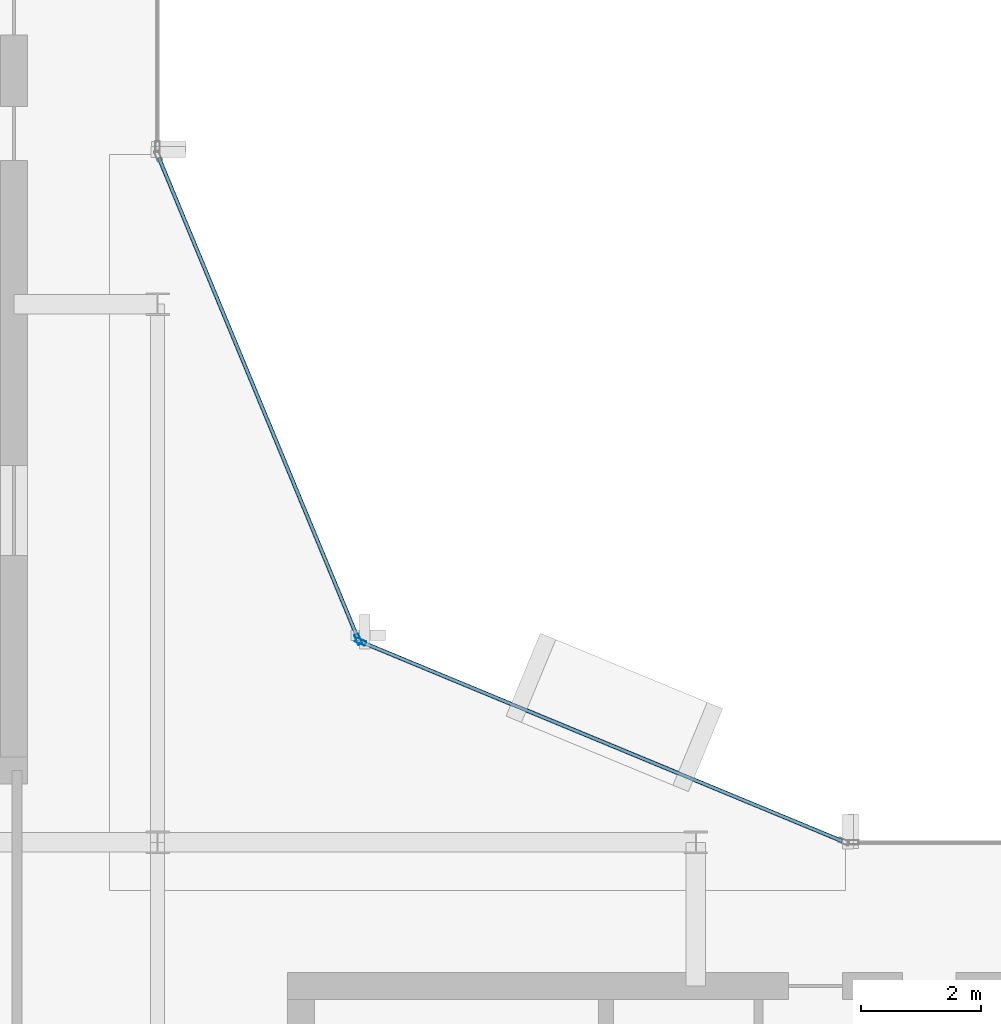
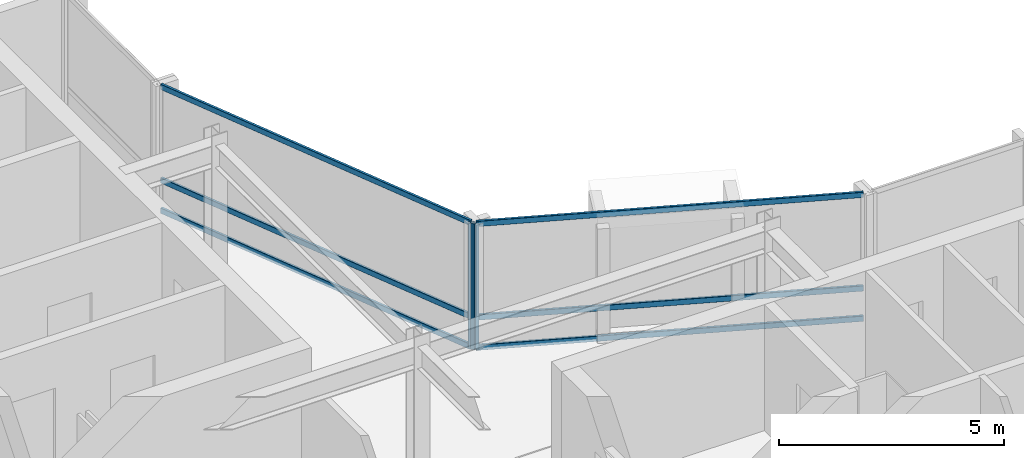
# One storey, part 8 of 19: 8 members, 2 elements without a shape of their own.
"""IFC4 building model written with IfcOpenShell, lengths in metres."""

from ifc_helpers import new_model, si_unit, direction, frame, origin, origin_2d, place, context, subcontext, project, spatial, hollow_rectangle, extrude, material, layer, layer_set, material_profile, profile_set, type_object, element, aggregate, save


model = new_model("IFC4")

# Units and contexts
model_context = context("Model", 3, precision=1e-05, world=origin(), true_north=direction((0.0, 1.0)))
body_context = subcontext(model_context, "Body", "Model", "MODEL_VIEW")
ifc_project = project(units=[si_unit("LENGTHUNIT", "METRE"), si_unit("AREAUNIT", "SQUARE_METRE"), si_unit("VOLUMEUNIT", "CUBIC_METRE"), si_unit("PLANEANGLEUNIT", "RADIAN"), si_unit("MASSUNIT", "GRAM", prefix="KILO")], contexts=[model_context])

# Site, building, storey
site_placement = place(None, origin())
site = spatial("IfcSite", under=ifc_project, at=site_placement, CompositionType="ELEMENT")
building_placement = place(site_placement, origin())
building = spatial("IfcBuilding", under=site, at=building_placement, Name="Solvaryn Broadcast Tower", CompositionType="ELEMENT")
storey_placement = place(building_placement, frame((0.0, 0.0, 277.800048828125)))
storey = spatial("IfcBuildingStorey", under=building, at=storey_placement, Name="L70", CompositionType="ELEMENT", Elevation=277.800048828125)

# Curtain wall, member
ifc_material_1 = material(Name="Aluminium and Terracotta Unitised Curtain Wall", Category="masonry")
ifc_layer = layer(ifc_material_1, 0.199951171875)
ifc_layer_set = layer_set([ifc_layer], Name="CW-SYS2-LOWMID")
curtain_wall_type = type_object("IfcCurtainWallType", Name="CW-SYS2-LOWMID", PredefinedType="NOTDEFINED", material=ifc_layer_set)
curtain_wall_1_placement = place(storey_placement, origin())
curtain_wall_1 = element("IfcCurtainWall", 1, at=curtain_wall_1_placement, inside=storey, type_object=curtain_wall_type, Name="L70 Curtain Wall CN1", PredefinedType="NOTDEFINED")
ifc_material_2 = material(Name="Anodised Aluminium 6063-T6", Category="aluminium")
ifc_material_profile_1 = material_profile(ifc_material_2, hollow_rectangle(XDim=0.074951171875, YDim=0.179931640625, WallThickness=0.00390625, InnerFilletRadius=0.00390625, OuterFilletRadius=0.008056640625, at=origin_2d()))
ifc_profile_set_1 = profile_set([ifc_material_profile_1], Name="Anodised Aluminium 6063-T6")
member_type_1 = type_object("IfcMemberType", Name="CW-MUL-180", PredefinedType="MULLION", material=ifc_profile_set_1)
member_1_placement = place(storey_placement, frame((30.395751953125, 30.3564453125, 0.0), z_axis=(0.0, 0.0, 1.0), x_axis=(-0.382646127145, -0.923894983957, 0.0)))
member_1 = element("IfcMember", 2, at=member_1_placement, type_object=member_type_1, Name="CWS2 mullion 2", PredefinedType="MULLION", context=body_context, shape_type="SweptSolid", body=[
    extrude(hollow_rectangle(XDim=0.074951171875, YDim=0.179931640625, WallThickness=0.00390625, InnerFilletRadius=0.00390625, OuterFilletRadius=0.008056640625, at=origin_2d()), origin(), (0.0, 0.0, 1.0), 3.419921875),
])

curtain_wall_2_placement = place(storey_placement, origin())
curtain_wall_2 = element("IfcCurtainWall", 3, at=curtain_wall_2_placement, inside=storey, type_object=curtain_wall_type, Name="L70 Curtain Wall CN2", PredefinedType="NOTDEFINED")
member_2_placement = place(storey_placement, frame((30.3564453125, 30.395751953125, 0.0), z_axis=(0.0, 0.0, 1.0), x_axis=(-0.923894983957, -0.382646127145, 0.0)))
member_2 = element("IfcMember", 4, at=member_2_placement, type_object=member_type_1, Name="CWS2 mullion 1", PredefinedType="MULLION", context=body_context, shape_type="SweptSolid", body=[
    extrude(hollow_rectangle(XDim=0.074951171875, YDim=0.179931640625, WallThickness=0.00390625, InnerFilletRadius=0.00390625, OuterFilletRadius=0.008056640625, at=origin_2d()), origin(), (0.0, 0.0, 1.0), 3.419921875),
])

# Member
ifc_material_3 = material(Name="Anodised Aluminium 6063-T6", Category="aluminium")
ifc_material_profile_2 = material_profile(ifc_material_3, hollow_rectangle(XDim=0.06494140625, YDim=0.14990234375, WallThickness=0.00390625, InnerFilletRadius=0.00390625, OuterFilletRadius=0.008056640625, at=origin_2d()))
ifc_profile_set_2 = profile_set([ifc_material_profile_2], Name="Anodised Aluminium 6063-T6")
member_type_2 = type_object("IfcMemberType", Name="CW-TRN-150", PredefinedType="USERDEFINED", material=ifc_profile_set_2)
member_3_placement = place(storey_placement, frame((38.444580078125, 27.02294921875, 0.030029296875), z_axis=(-0.923899282177, 0.382635748975, 0.0), x_axis=(-0.382635748975, -0.923899282177, 0.0)))
member_3 = element("IfcMember", 5, at=member_3_placement, type_object=member_type_2, Name="CWS2 transom 1.1", ObjectType="TRANSOM", PredefinedType="USERDEFINED", context=body_context, shape_type="SweptSolid", body=[
    extrude(hollow_rectangle(XDim=0.06494140625, YDim=0.14990234375, WallThickness=0.00390625, InnerFilletRadius=0.00390625, OuterFilletRadius=0.008056640625, at=origin_2d()), origin(), (0.0, 0.0, 1.0), 8.681884765625),
])

member_4_placement = place(storey_placement, frame((38.444580078125, 27.02294921875, 0.849853515625), z_axis=(-0.923899282177, 0.382635748975, 0.0), x_axis=(-0.382635748975, -0.923899282177, 0.0)))
member_4 = element("IfcMember", 6, at=member_4_placement, type_object=member_type_2, Name="CWS2 transom 1.2", ObjectType="TRANSOM", PredefinedType="USERDEFINED", context=body_context, shape_type="SweptSolid", body=[
    extrude(hollow_rectangle(XDim=0.06494140625, YDim=0.14990234375, WallThickness=0.00390625, InnerFilletRadius=0.00390625, OuterFilletRadius=0.008056640625, at=origin_2d()), origin(), (0.0, 0.0, 1.0), 8.681884765625),
])

member_5_placement = place(storey_placement, frame((38.444580078125, 27.02294921875, 3.389892578125), z_axis=(-0.923899282177, 0.382635748975, 0.0), x_axis=(-0.382635748975, -0.923899282177, 0.0)))
member_5 = element("IfcMember", 7, at=member_5_placement, type_object=member_type_2, Name="CWS2 transom 1.3", ObjectType="TRANSOM", PredefinedType="USERDEFINED", context=body_context, shape_type="SweptSolid", body=[
    extrude(hollow_rectangle(XDim=0.06494140625, YDim=0.14990234375, WallThickness=0.00390625, InnerFilletRadius=0.00390625, OuterFilletRadius=0.008056640625, at=origin_2d()), origin(), (0.0, 0.0, 1.0), 8.681884765625),
])

aggregate(curtain_wall_1, [member_1, member_3, member_4, member_5])

member_6_placement = place(storey_placement, frame((30.344970703125, 30.42333984375, 0.030029296875), z_axis=(-0.382635748975, 0.923899282177, 0.0), x_axis=(-0.923899282177, -0.382635748975, 0.0)))
member_6 = element("IfcMember", 8, at=member_6_placement, type_object=member_type_2, Name="CWS2 transom 1.1", ObjectType="TRANSOM", PredefinedType="USERDEFINED", context=body_context, shape_type="SweptSolid", body=[
    extrude(hollow_rectangle(XDim=0.06494140625, YDim=0.14990234375, WallThickness=0.00390625, InnerFilletRadius=0.00390625, OuterFilletRadius=0.008056640625, at=origin_2d()), origin(), (0.0, 0.0, 1.0), 8.681884765625),
])

member_7_placement = place(storey_placement, frame((30.344970703125, 30.42333984375, 0.849853515625), z_axis=(-0.382635748975, 0.923899282177, 0.0), x_axis=(-0.923899282177, -0.382635748975, 0.0)))
member_7 = element("IfcMember", 9, at=member_7_placement, type_object=member_type_2, Name="CWS2 transom 1.2", ObjectType="TRANSOM", PredefinedType="USERDEFINED", context=body_context, shape_type="SweptSolid", body=[
    extrude(hollow_rectangle(XDim=0.06494140625, YDim=0.14990234375, WallThickness=0.00390625, InnerFilletRadius=0.00390625, OuterFilletRadius=0.008056640625, at=origin_2d()), origin(), (0.0, 0.0, 1.0), 8.681884765625),
])

member_8_placement = place(storey_placement, frame((30.344970703125, 30.42333984375, 3.389892578125), z_axis=(-0.382635748975, 0.923899282177, 0.0), x_axis=(-0.923899282177, -0.382635748975, 0.0)))
member_8 = element("IfcMember", 10, at=member_8_placement, type_object=member_type_2, Name="CWS2 transom 1.3", ObjectType="TRANSOM", PredefinedType="USERDEFINED", context=body_context, shape_type="SweptSolid", body=[
    extrude(hollow_rectangle(XDim=0.06494140625, YDim=0.14990234375, WallThickness=0.00390625, InnerFilletRadius=0.00390625, OuterFilletRadius=0.008056640625, at=origin_2d()), origin(), (0.0, 0.0, 1.0), 8.681884765625),
])

aggregate(curtain_wall_2, [member_2, member_6, member_7, member_8])

save(model, "model.ifc")
